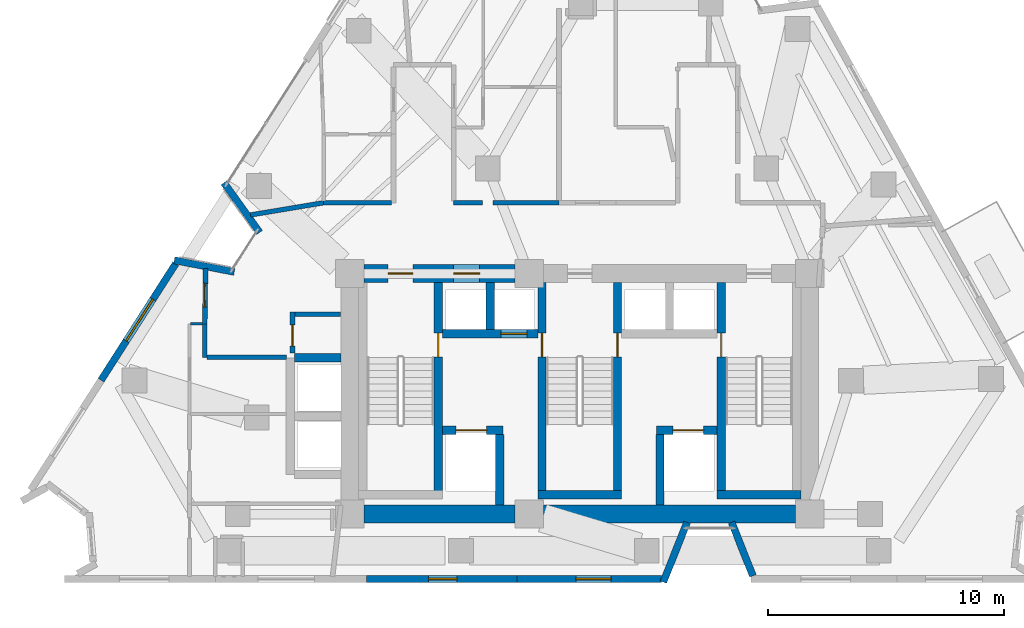
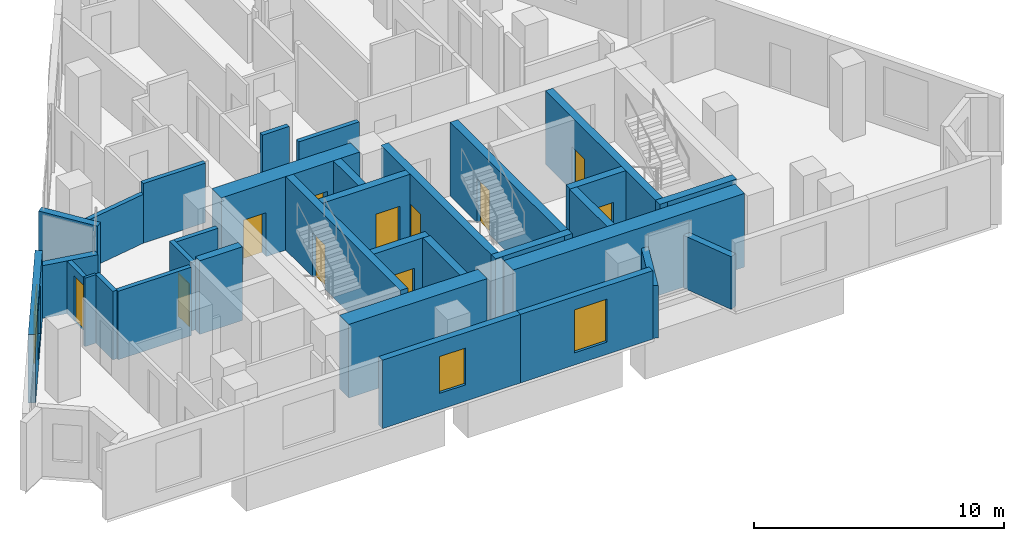
# One storey, part 6 of 11: 33 walls, 11 doors, 3 windows, 14 openings.
"""IFC4 building model written with IfcOpenShell, lengths in metres."""

import ifcopenshell
import ifcopenshell.guid

model = None  # the IFC model being written
_history = None  # IfcOwnerHistory: only IFC2X3 demands one
_inside = {}  # id of a spatial element -> (the spatial element, [elements in it])
_under = {}  # id of a project, library or spatial element -> (it, [spatial elements below it])
_declared = {}  # id of a project -> (the project, [libraries it declares])
_typed = {}  # id of a type object -> (the type object, [elements of that type])
_made_of = {}  # id of a material, layer set ... -> (it, [elements and type objects made of it])


def new_model(schema):
    """Start an empty IFC model of exactly this schema.

    Asked for "IFC4X3", IfcOpenShell would pick the latest addendum, in which some entities
    have other attributes; the version numbers below select the first issue.
    IFC2X3 requires an IfcOwnerHistory on every rooted entity: one is made here for all.
    """
    global model, _history
    if schema == "IFC4X3":
        model = ifcopenshell.file(schema_version=(4, 3, 0, 0))
    else:
        model = ifcopenshell.file(schema=schema)
    _inside.clear()
    _under.clear()
    _declared.clear()
    _typed.clear()
    _made_of.clear()
    _history = None
    if model.schema == "IFC2X3":
        org = make("IfcOrganization", Name="unknown")
        user = make(
            "IfcPersonAndOrganization",
            ThePerson=make("IfcPerson", FamilyName="unknown"),
            TheOrganization=org,
        )
        app = make(
            "IfcApplication",
            ApplicationDeveloper=org,
            Version="unknown",
            ApplicationFullName="unknown",
            ApplicationIdentifier="unknown",
        )
        _history = make(
            "IfcOwnerHistory",
            OwningUser=user,
            OwningApplication=app,
            ChangeAction="ADDED",
            CreationDate=0,
        )
    return model


def make(cls, **values):
    """One entity of the class cls with the attributes given. An attribute that is None is left unset."""
    return model.create_entity(
        cls, **{name: value for name, value in values.items() if value is not None}
    )


def rooted(cls, **values):
    """An entity with a GlobalId (a new one), such as an element, a storey or a relation."""
    return make(cls, GlobalId=ifcopenshell.guid.new(), OwnerHistory=_history, **values)


def si_unit(unit_type, name, prefix=None):
    """IfcSIUnit, for example si_unit("LENGTHUNIT", "METRE", prefix="MILLI")."""
    return make("IfcSIUnit", UnitType=unit_type, Prefix=prefix, Name=name)


def assignment(units):
    """IfcUnitAssignment: the units of a project."""
    return None if units is None else make("IfcUnitAssignment", Units=units)


def point(xyz):
    """IfcCartesianPoint."""
    return None if xyz is None else make("IfcCartesianPoint", Coordinates=xyz)


def direction(xyz):
    """IfcDirection."""
    return None if xyz is None else make("IfcDirection", DirectionRatios=xyz)


def frame(location, z_axis=None, x_axis=None):
    """IfcAxis2Placement3D, a coordinate frame: its origin and axes. An axis left out is left unset."""
    return make(
        "IfcAxis2Placement3D",
        Location=point(location),
        Axis=direction(z_axis),
        RefDirection=direction(x_axis),
    )


def frame_2d(location, x_axis=None):
    """IfcAxis2Placement2D, a coordinate frame in the plane: its origin and x axis."""
    return make(
        "IfcAxis2Placement2D", Location=point(location), RefDirection=direction(x_axis)
    )


def origin():
    """The frame at (0, 0, 0) with its axes left unset."""
    return frame((0.0, 0.0, 0.0))


def place(relative_to, where):
    """IfcLocalPlacement: puts the frame where relative to a parent placement (None: the world)."""
    return make(
        "IfcLocalPlacement", PlacementRelTo=relative_to, RelativePlacement=where
    )


def context(
    kind, dimensions, precision=None, world=None, true_north=None, identifier=None
):
    """IfcGeometricRepresentationContext, for example the 3D "Model" context."""
    return make(
        "IfcGeometricRepresentationContext",
        ContextIdentifier=identifier,
        ContextType=kind,
        CoordinateSpaceDimension=dimensions,
        Precision=precision,
        WorldCoordinateSystem=world,
        TrueNorth=true_north,
    )


def subcontext(parent, identifier, kind, view, scale=None):
    """IfcGeometricRepresentationSubContext, for example "Body" below "Model"."""
    return make(
        "IfcGeometricRepresentationSubContext",
        ContextIdentifier=identifier,
        ContextType=kind,
        ParentContext=parent,
        TargetScale=scale,
        TargetView=view,
    )


def project(units=None, contexts=None):
    """IfcProject with its units and contexts."""
    return rooted(
        "IfcProject",
        Name="project",
        RepresentationContexts=contexts,
        UnitsInContext=assignment(units),
    )


def spatial(cls, under=None, at=None, **own):
    """A site, building, storey or space (cls), placed at a placement, below another one or the project."""
    s = rooted(cls, ObjectPlacement=at, **own)
    if under is not None:
        _under.setdefault(under.id(), (under, []))[1].append(s)
    return s


def profile(cls, at=None, kind="AREA", **sizes):
    """A parametric profile (cls). Its sizes go by their IFC names, for example OverallWidth=200.0."""
    return make(cls, ProfileType=kind, Position=at, **sizes)


def rectangle(**sizes):
    """IfcRectangleProfileDef."""
    return profile("IfcRectangleProfileDef", **sizes)


def extrude(swept, where, along, depth):
    """IfcExtrudedAreaSolid: the profile swept, set in the frame where, extruded along a direction by depth."""
    return make(
        "IfcExtrudedAreaSolid",
        SweptArea=swept,
        Position=where,
        ExtrudedDirection=direction(along),
        Depth=depth,
    )


def shape(context_of_items, identifier, shape_type, items):
    """IfcShapeRepresentation: the items that make up one representation, for example the "Body"."""
    return make(
        "IfcShapeRepresentation",
        ContextOfItems=context_of_items,
        RepresentationIdentifier=identifier,
        RepresentationType=shape_type,
        Items=items,
    )


def material(Name=None, Category=None):
    """IfcMaterial."""
    return make("IfcMaterial", Name=Name, Category=Category)


def layer(
    of_material, thickness, ventilated=None, Name=None, Category=None, Priority=None
):
    """IfcMaterialLayer: one layer of a wall or slab, of a material (None: an air gap)."""
    return make(
        "IfcMaterialLayer",
        Material=of_material,
        LayerThickness=thickness,
        IsVentilated=ventilated,
        Name=Name,
        Category=Category,
        Priority=Priority,
    )


def layer_set(layers, Name=None):
    """IfcMaterialLayerSet."""
    return make("IfcMaterialLayerSet", MaterialLayers=layers, LayerSetName=Name)


def made_of(thing, what):
    """Note that an element or type object is made of a material, layer set ...; save() writes the relation."""
    if what is not None:
        _made_of.setdefault(what.id(), (what, []))[1].append(thing)
    return thing


def type_object(cls, material=None, **own):
    """A type object (cls), such as IfcWallType, which elements share."""
    return made_of(rooted(cls, **own), material)


def element(
    cls,
    number,
    at=None,
    inside=None,
    cuts=None,
    type_object=None,
    material=None,
    context=None,
    identifier="Body",
    shape_type=None,
    held_by="IfcProductDefinitionShape",
    body=None,
    shapes=None,
    **own,
):
    """One element of the class cls, such as IfcWall. Its Tag is "e" and its number.

    at: its placement. inside: the storey or other place that contains it. cuts: it is an
    opening in that element (IfcRelVoidsElement). A single representation is given by context,
    identifier, shape_type and body (its items); several are given by shapes. held_by: the class
    of the entity that holds the representations. save() writes the other relations.
    """
    e = rooted(cls, Tag="e%d" % number, ObjectPlacement=at, **own)
    if body is not None:
        shapes = [shape(context, identifier, shape_type, body)]
    if shapes is not None:
        e.Representation = make(held_by, Representations=shapes)
    if inside is not None:
        _inside.setdefault(inside.id(), (inside, []))[1].append(e)
    if cuts is not None:
        rooted(
            "IfcRelVoidsElement", RelatingBuildingElement=cuts, RelatedOpeningElement=e
        )
    if type_object is not None:
        _typed.setdefault(type_object.id(), (type_object, []))[1].append(e)
    return made_of(e, material)


def fill(opening, filler):
    """IfcRelFillsElement: the door or window that sits in an opening."""
    return rooted(
        "IfcRelFillsElement",
        RelatingOpeningElement=opening,
        RelatedBuildingElement=filler,
    )


def aggregate(whole, parts):
    """IfcRelAggregates: a whole, such as a stair, and the parts it consists of."""
    return rooted("IfcRelAggregates", RelatingObject=whole, RelatedObjects=parts)


def save(model, path):
    """Write the relations noted so far, then the file.

    IfcRelAggregates (storeys below a building ...), IfcRelContainedInSpatialStructure (elements
    in a storey), IfcRelDefinesByType, IfcRelAssociatesMaterial and IfcRelDeclares: one each for
    every whole, place, type object, material and project.
    """
    for whole, parts in _under.values():
        aggregate(whole, parts)
    for where, things in _inside.values():
        rooted(
            "IfcRelContainedInSpatialStructure",
            RelatedElements=things,
            RelatingStructure=where,
        )
    for kind, things in _typed.values():
        rooted("IfcRelDefinesByType", RelatedObjects=things, RelatingType=kind)
    for what, things in _made_of.values():
        rooted("IfcRelAssociatesMaterial", RelatedObjects=things, RelatingMaterial=what)
    for by, libraries in _declared.values():
        rooted("IfcRelDeclares", RelatingContext=by, RelatedDefinitions=libraries)
    model.write(path)


model = new_model("IFC4")

# Units and contexts
model_context = context("Model", 3, precision=1e-05, world=origin(), true_north=direction((0.0, 1.0)))
body_context = subcontext(model_context, "Body", "Model", "MODEL_VIEW")
ifc_project = project(units=[si_unit("LENGTHUNIT", "METRE"), si_unit("AREAUNIT", "SQUARE_METRE"), si_unit("VOLUMEUNIT", "CUBIC_METRE"), si_unit("PLANEANGLEUNIT", "RADIAN"), si_unit("MASSUNIT", "GRAM", prefix="KILO")], contexts=[model_context])

# Site, building, storey
site_placement = place(None, origin())
site = spatial("IfcSite", under=ifc_project, at=site_placement, CompositionType="ELEMENT")
building_placement = place(site_placement, origin())
building = spatial("IfcBuilding", under=site, at=building_placement, Name="Almagre Mirador Tower", CompositionType="ELEMENT")
storey_placement = place(building_placement, frame((0.0, 0.0, 153.60009765625)))
storey = spatial("IfcBuildingStorey", under=building, at=storey_placement, Name="L39", CompositionType="ELEMENT", Elevation=153.60009765625)

# Walls
ifc_material_1 = material(Name="Precast concrete C50/60", Category="concrete")
ifc_layer_1 = layer(ifc_material_1, 0.300048828125)
ifc_layer_set_1 = layer_set([ifc_layer_1], Name="Precast concrete C50/60")
wall_type_1 = type_object("IfcWallType", Name="WAL-EXT-300", PredefinedType="SOLIDWALL", material=ifc_layer_set_1)
wall_1_placement = place(storey_placement, frame((20.103515625, 15.3125, 0.0), z_axis=(0.0, 0.0, 1.0), x_axis=(0.98176398898, -0.190103839891, 0.0)))
element("IfcWall", 1, at=wall_1_placement, inside=storey, type_object=wall_type_1, Name="L39 expressed almagre precast frame wall 01", PredefinedType="SOLIDWALL", context=body_context, shape_type="SweptSolid", body=[
    extrude(rectangle(XDim=2.59423828125, YDim=0.300048828125, at=frame_2d((1.297119140625, 0.0))), origin(), (0.0, 0.0, 1.0), 2.574951171875),
])
wall_2_placement = place(storey_placement, frame((23.72265625, 16.4921875, 0.0), z_axis=(0.0, 0.0, 1.0), x_axis=(-0.583178108206, 0.812344319922, 0.0)))
element("IfcWall", 2, at=wall_2_placement, inside=storey, type_object=wall_type_1, Name="L39 expressed almagre precast frame wall 02", PredefinedType="SOLIDWALL", context=body_context, shape_type="SweptSolid", body=[
    extrude(rectangle(XDim=2.593017578125, YDim=0.300048828125, at=frame_2d((1.29638671875, 0.0))), origin(), (0.0, 0.0, 1.0), 2.574951171875),
])
wall_3_placement = place(storey_placement, frame((44.64013671875, 1.93017578125, 0.0), z_axis=(0.0, 0.0, 1.0), x_axis=(-0.369476217581, 0.929240186734, 0.0)))
element("IfcWall", 3, at=wall_3_placement, inside=storey, type_object=wall_type_1, Name="L39 expressed almagre precast frame wall 23", PredefinedType="SOLIDWALL", context=body_context, shape_type="SweptSolid", body=[
    extrude(rectangle(XDim=2.441650390625, YDim=0.300048828125, at=frame_2d((1.220703125, 0.0))), origin(), (0.0, 0.0, 1.0), 2.574951171875),
])
wall_4_placement = place(storey_placement, frame((41.845947265625, 4.198974609375, 0.0), z_axis=(0.0, 0.0, 1.0), x_axis=(-0.369487569888, -0.929235672851, 0.0)))
element("IfcWall", 4, at=wall_4_placement, inside=storey, type_object=wall_type_1, Name="L39 expressed almagre precast frame wall 24", PredefinedType="SOLIDWALL", context=body_context, shape_type="SweptSolid", body=[
    extrude(rectangle(XDim=2.7216796875, YDim=0.300048828125, at=frame_2d((1.36083984375, 0.0))), origin(), (0.0, 0.0, 1.0), 2.574951171875),
])

# Wall, opening, window
wall_5_placement = place(storey_placement, frame((40.757080078125, 1.800048828125, 0.0), z_axis=(0.0, 0.0, 1.0), x_axis=(-1.0, 0.0, 0.0)))
wall_5 = element("IfcWall", 5, at=wall_5_placement, inside=storey, type_object=wall_type_1, Name="L39 expressed almagre precast frame wall 25", PredefinedType="SOLIDWALL", context=body_context, shape_type="SweptSolid", body=[
    extrude(rectangle(XDim=6.1181640625, YDim=0.300048828125, at=frame_2d((3.05908203125, 0.0))), origin(), (0.0, 0.0, 1.0), 3.349853515625),
])
opening_1_placement = place(wall_5_placement, frame((2.125, 0.0, 0.60009765625)))
opening_1 = element("IfcOpeningElement", 6, at=opening_1_placement, cuts=wall_5, Name="Opening WN-03", PredefinedType="OPENING", context=body_context, shape_type="SweptSolid", body=[
    extrude(rectangle(XDim=1.5, YDim=2.10009765625, at=frame_2d((0.75, 1.050048828125))), frame((0.0, 0.159902, 0.0), z_axis=(0.0, -1.0, 0.0), x_axis=(1.0, 0.0, 0.0)), (0.0, 0.0, 1.0), 0.320049),
])
ifc_material_2 = material(Name="Dark solar-control laminated hurricane glass", Category="glass")
window_type_1 = type_object("IfcWindowType", Name="WIN-1500X2100", PartitioningType="DOUBLE_PANEL_VERTICAL", PredefinedType="WINDOW", material=ifc_material_2)
window_1_placement = place(opening_1_placement, origin())
window_1 = element("IfcWindow", 7, at=window_1_placement, inside=storey, type_object=window_type_1, Name="L39 recessed hurricane window L39-RST-B", OverallHeight=2.10009765625, OverallWidth=1.5, PartitioningType="SINGLE_PANEL", PredefinedType="WINDOW", context=body_context, shape_type="SweptSolid", body=[
    extrude(rectangle(XDim=1.5, YDim=2.10009765625, at=frame_2d((0.75, 1.050048828125))), frame((0.0, 0.030029296875, 0.0), z_axis=(0.0, -1.0, 0.0), x_axis=(1.0, 0.0, 0.0)), (0.0, 0.0, 1.0), 0.06005859375),
])
fill(opening_1, window_1)

wall_6_placement = place(storey_placement, frame((34.638916015625, 1.800048828125, 0.0), z_axis=(0.0, 0.0, 1.0), x_axis=(-1.0, 0.0, 0.0)))
wall_6 = element("IfcWall", 8, at=wall_6_placement, inside=storey, type_object=wall_type_1, Name="L39 expressed almagre precast frame wall 26", PredefinedType="SOLIDWALL", context=body_context, shape_type="SweptSolid", body=[
    extrude(rectangle(XDim=6.392822265625, YDim=0.300048828125, at=frame_2d((3.1962890625, 0.0))), origin(), (0.0, 0.0, 1.0), 3.349853515625),
])
opening_2_placement = place(wall_6_placement, frame((2.550048828125, 0.0, 0.800048828125)))
opening_2 = element("IfcOpeningElement", 9, at=opening_2_placement, cuts=wall_6, Name="Opening WN-04", PredefinedType="OPENING", context=body_context, shape_type="SweptSolid", body=[
    extrude(rectangle(XDim=1.199951171875, YDim=1.800048828125, at=frame_2d((0.60009765625, 0.89990234375))), frame((0.0, 0.159902, 0.0), z_axis=(0.0, -1.0, 0.0), x_axis=(1.0, 0.0, 0.0)), (0.0, 0.0, 1.0), 0.320049),
])
ifc_material_3 = material(Name="Dark solar-control laminated hurricane glass", Category="glass")
window_type_2 = type_object("IfcWindowType", Name="WIN-1200X1800", PartitioningType="SINGLE_PANEL", PredefinedType="WINDOW", material=ifc_material_3)
window_2_placement = place(opening_2_placement, origin())
window_2 = element("IfcWindow", 10, at=window_2_placement, inside=storey, type_object=window_type_2, Name="L39 recessed hurricane window L39-RST-B", OverallHeight=1.800048828125, OverallWidth=1.199951171875, PartitioningType="SINGLE_PANEL", PredefinedType="WINDOW", context=body_context, shape_type="SweptSolid", body=[
    extrude(rectangle(XDim=1.199951171875, YDim=1.800048828125, at=frame_2d((0.60009765625, 0.89990234375))), frame((0.0, 0.030029296875, 0.0), z_axis=(0.0, -1.0, 0.0), x_axis=(1.0, 0.0, 0.0)), (0.0, 0.0, 1.0), 0.06005859375),
])
fill(opening_2, window_2)

wall_7_placement = place(storey_placement, frame((16.99951171875, 10.22705078125, 0.0), z_axis=(0.0, 0.0, 1.0), x_axis=(0.539500668401, 0.841985171363, 0.0)))
wall_7 = element("IfcWall", 11, at=wall_7_placement, inside=storey, type_object=wall_type_1, Name="L39 expressed almagre precast frame wall 34", PredefinedType="SOLIDWALL", context=body_context, shape_type="SweptSolid", body=[
    extrude(rectangle(XDim=5.873291015625, YDim=0.300048828125, at=frame_2d((2.9365234375, 0.0))), origin(), (0.0, 0.0, 1.0), 3.349853515625),
])
opening_3_placement = place(wall_7_placement, frame((1.97509765625, 0.0, 0.550048828125)))
opening_3 = element("IfcOpeningElement", 12, at=opening_3_placement, cuts=wall_7, Name="Opening WN-05", PredefinedType="OPENING", context=body_context, shape_type="SweptSolid", body=[
    extrude(rectangle(XDim=2.10009765625, YDim=2.39990234375, at=frame_2d((1.050048828125, 1.199951171875))), frame((0.0, 0.159902, 0.0), z_axis=(0.0, -1.0, 0.0), x_axis=(1.0, 0.0, 0.0)), (0.0, 0.0, 1.0), 0.320049),
])
ifc_material_4 = material(Name="Dark solar-control laminated hurricane glass", Category="glass")
window_type_3 = type_object("IfcWindowType", Name="WIN-2100X2400", PartitioningType="DOUBLE_PANEL_VERTICAL", PredefinedType="WINDOW", material=ifc_material_4)
window_3_placement = place(opening_3_placement, origin())
window_3 = element("IfcWindow", 13, at=window_3_placement, inside=storey, type_object=window_type_3, Name="L39 recessed hurricane window L39-UA-LV", OverallHeight=2.39990234375, OverallWidth=2.10009765625, PartitioningType="SINGLE_PANEL", PredefinedType="WINDOW", context=body_context, shape_type="SweptSolid", body=[
    extrude(rectangle(XDim=2.10009765625, YDim=2.39990234375, at=frame_2d((1.050048828125, 1.199951171875))), frame((0.0, 0.030029296875, 0.0), z_axis=(0.0, -1.0, 0.0), x_axis=(1.0, 0.0, 0.0)), (0.0, 0.0, 1.0), 0.06005859375),
])
fill(opening_3, window_3)

# Wall
ifc_material_5 = material(Name="Gypsum acoustic stud partition", Category="other")
ifc_layer_2 = layer(ifc_material_5, 0.125)
ifc_layer_set_2 = layer_set([ifc_layer_2], Name="Gypsum acoustic stud partition")
wall_type_2 = type_object("IfcWallType", Name="WAL-PRT-125-UTL", PredefinedType="PARTITIONING", material=ifc_layer_set_2)
wall_8_placement = place(storey_placement, frame((20.797607421875, 12.6201171875, 0.0), z_axis=(0.0, 0.0, 1.0), x_axis=(1.0, 0.0, 0.0)))
element("IfcWall", 14, at=wall_8_placement, inside=storey, type_object=wall_type_2, Name="L39 interior partition 029", PredefinedType="PARTITIONING", context=body_context, shape_type="SweptSolid", body=[
    extrude(rectangle(XDim=0.517333984375, YDim=0.125, at=frame_2d((0.2587890625, 0.0))), origin(), (0.0, 0.0, 1.0), 3.349853515625),
])

# Wall, opening, door
ifc_material_6 = material(Name="Gypsum acoustic stud partition", Category="other")
ifc_layer_3 = layer(ifc_material_6, 0.199951171875)
ifc_layer_set_3 = layer_set([ifc_layer_3], Name="Gypsum acoustic stud partition")
wall_type_3 = type_object("IfcWallType", Name="WAL-PRT-200-EI60", PredefinedType="PARTITIONING", material=ifc_layer_set_3)
wall_9_placement = place(storey_placement, frame((25.1201171875, 11.3701171875, 0.0), z_axis=(0.0, 0.0, 1.0), x_axis=(0.0, 1.0, 0.0)))
wall_9 = element("IfcWall", 15, at=wall_9_placement, inside=storey, type_object=wall_type_3, Name="L39 core ancillary west wall", PredefinedType="PARTITIONING", context=body_context, shape_type="SweptSolid", body=[
    extrude(rectangle(XDim=1.739990234375, YDim=0.199951171875, at=frame_2d((0.8701171875, 0.0))), origin(), (0.0, 0.0, 1.0), 3.349853515625),
])
opening_4_placement = place(wall_9_placement, frame((0.304931640625, 0.0, 0.0)))
opening_4 = element("IfcOpeningElement", 16, at=opening_4_placement, cuts=wall_9, Name="Opening ID-03", PredefinedType="OPENING", context=body_context, shape_type="SweptSolid", body=[
    extrude(rectangle(XDim=0.89990234375, YDim=2.10009765625, at=frame_2d((0.449951171875, 1.050048828125))), frame((0.0, 0.110098, 0.0), z_axis=(0.0, -1.0, 0.0), x_axis=(1.0, 0.0, 0.0)), (0.0, 0.0, 1.0), 0.219951),
])
ifc_material_7 = material(Name="Fire-rated hollow steel", Category="steel")
door_type_1 = type_object("IfcDoorType", Name="DOR-FD60-900X2100", OperationType="NOTDEFINED", PredefinedType="DOOR", material=ifc_material_7)
door_1_placement = place(opening_4_placement, origin())
door_1 = element("IfcDoor", 17, at=door_1_placement, inside=storey, type_object=door_type_1, Name="DR-1260 L39 core ancillary corridor door", OperationType="SINGLE_SWING_LEFT", OverallHeight=2.10009765625, OverallWidth=0.89990234375, PredefinedType="DOOR", context=body_context, shape_type="SweptSolid", body=[
    extrude(rectangle(XDim=0.89990234375, YDim=2.10009765625, at=frame_2d((0.449951171875, 1.050048828125))), frame((0.0, 0.02490234375, 0.0), z_axis=(0.0, -1.0, 0.0), x_axis=(1.0, 0.0, 0.0)), (0.0, 0.0, 1.0), 0.050048828125),
])
fill(opening_4, door_1)

# Wall
wall_10_placement = place(storey_placement, frame((25.22509765625, 13.02001953125, 0.0), z_axis=(0.0, 0.0, 1.0), x_axis=(1.0, 0.0, 0.0)))
element("IfcWall", 18, at=wall_10_placement, inside=storey, type_object=wall_type_3, Name="L39 core ancillary north wall", PredefinedType="PARTITIONING", context=body_context, shape_type="SweptSolid", body=[
    extrude(rectangle(XDim=1.934814453125, YDim=0.199951171875, at=frame_2d((0.96728515625, 0.0))), origin(), (0.0, 0.0, 1.0), 3.349853515625),
])

# Wall, opening, door
wall_11_placement = place(storey_placement, frame((21.43310546875, 14.9560546875, 0.0), z_axis=(0.0, 0.0, 1.0), x_axis=(-0.014212611143, -0.999898995741, 0.0)))
wall_11 = element("IfcWall", 19, at=wall_11_placement, inside=storey, type_object=wall_type_3, Name="L39 interior partition 001", PredefinedType="PARTITIONING", context=body_context, shape_type="SweptSolid", body=[
    extrude(rectangle(XDim=2.336181640625, YDim=0.199951171875, at=frame_2d((1.16796875, 0.0))), origin(), (0.0, 0.0, 1.0), 2.56982421875),
])
opening_5_placement = place(wall_11_placement, frame((0.61865234375, 0.0, 0.0)))
opening_5 = element("IfcOpeningElement", 20, at=opening_5_placement, cuts=wall_11, Name="Opening ID-01", PredefinedType="OPENING", context=body_context, shape_type="SweptSolid", body=[
    extrude(rectangle(XDim=1.0, YDim=2.199951171875, at=frame_2d((0.5, 1.10009765625))), frame((0.0, 0.110098, 0.0), z_axis=(0.0, -1.0, 0.0), x_axis=(1.0, 0.0, 0.0)), (0.0, 0.0, 1.0), 0.219951),
])
ifc_material_8 = material(Name="Fire-rated walnut timber", Category="wood")
door_type_2 = type_object("IfcDoorType", Name="DOR-FD60-1000X2200", OperationType="NOTDEFINED", PredefinedType="DOOR", material=ifc_material_8)
door_2_placement = place(opening_5_placement, origin())
door_2 = element("IfcDoor", 21, at=door_2_placement, inside=storey, type_object=door_type_2, Name="DR-1267 L39 interior door L39-RCOR to L39-UA-LV", OperationType="SINGLE_SWING_RIGHT", OverallHeight=2.199951171875, OverallWidth=1.0, PredefinedType="DOOR", context=body_context, shape_type="SweptSolid", body=[
    extrude(rectangle(XDim=1.0, YDim=2.199951171875, at=frame_2d((0.5, 1.10009765625))), frame((0.0, 0.02490234375, 0.0), z_axis=(0.0, -1.0, 0.0), x_axis=(1.0, 0.0, 0.0)), (0.0, 0.0, 1.0), 0.050048828125),
])
fill(opening_5, door_2)

# Walls
wall_12_placement = place(storey_placement, frame((21.39990234375, 12.6201171875, 0.0), z_axis=(0.0, 0.0, 1.0), x_axis=(0.0, -1.0, 0.0)))
element("IfcWall", 22, at=wall_12_placement, inside=storey, type_object=wall_type_3, Name="L39 interior partition 002", PredefinedType="PARTITIONING", context=body_context, shape_type="SweptSolid", body=[
    extrude(rectangle(XDim=1.420166015625, YDim=0.199951171875, at=frame_2d((0.7099609375, 0.0))), origin(), (0.0, 0.0, 1.0), 3.349853515625),
])
wall_13_placement = place(storey_placement, frame((21.485107421875, 11.199951171875, 0.0), z_axis=(0.0, 0.0, 1.0), x_axis=(1.0, 0.0, 0.0)))
element("IfcWall", 23, at=wall_13_placement, inside=storey, type_object=wall_type_3, Name="L39 interior partition 003", PredefinedType="PARTITIONING", context=body_context, shape_type="SweptSolid", body=[
    extrude(rectangle(XDim=3.384033203125, YDim=0.199951171875, at=frame_2d((1.69189453125, 0.0))), origin(), (0.0, 0.0, 1.0), 3.349853515625),
])
wall_14_placement = place(storey_placement, frame((26.43994140625, 17.75, 0.0), z_axis=(0.0, 0.0, 1.0), x_axis=(-0.986465106599, -0.163971319024, 0.0)))
element("IfcWall", 24, at=wall_14_placement, inside=storey, type_object=wall_type_3, Name="L39 interior partition 007", PredefinedType="PARTITIONING", context=body_context, shape_type="SweptSolid", body=[
    extrude(rectangle(XDim=3.1474609375, YDim=0.199951171875, at=frame_2d((1.57373046875, 0.0))), origin(), (0.0, 0.0, 1.0), 2.392822265625),
])
wall_15_placement = place(storey_placement, frame((29.31494140625, 17.75, 0.0), z_axis=(0.0, 0.0, 1.0), x_axis=(-1.0, 0.0, 0.0)))
element("IfcWall", 25, at=wall_15_placement, inside=storey, type_object=wall_type_3, Name="L39 interior partition 009", PredefinedType="PARTITIONING", context=body_context, shape_type="SweptSolid", body=[
    extrude(rectangle(XDim=2.875, YDim=0.199951171875, at=frame_2d((1.4375, 0.0))), origin(), (0.0, 0.0, 1.0), 2.910888671875),
])
wall_16_placement = place(storey_placement, frame((33.179931640625, 17.75, 0.0), z_axis=(0.0, 0.0, 1.0), x_axis=(-1.0, 0.0, 0.0)))
element("IfcWall", 26, at=wall_16_placement, inside=storey, type_object=wall_type_3, Name="L39 interior partition 022", PredefinedType="PARTITIONING", context=body_context, shape_type="SweptSolid", body=[
    extrude(rectangle(XDim=1.22998046875, YDim=0.199951171875, at=frame_2d((0.614990234375, 0.0))), origin(), (0.0, 0.0, 1.0), 3.349853515625),
])
wall_17_placement = place(storey_placement, frame((36.419921875, 17.75, 0.0), z_axis=(0.0, 0.0, 1.0), x_axis=(-1.0, 0.0, 0.0)))
element("IfcWall", 27, at=wall_17_placement, inside=storey, type_object=wall_type_3, Name="L39 interior partition 024", PredefinedType="PARTITIONING", context=body_context, shape_type="SweptSolid", body=[
    extrude(rectangle(XDim=2.7998046875, YDim=0.199951171875, at=frame_2d((1.39990234375, 0.0))), origin(), (0.0, 0.0, 1.0), 2.435791015625),
])

# Wall, opening, door
ifc_material_9 = material(Name="Concrete C60/75", Category="concrete")
ifc_layer_4 = layer(ifc_material_9, 0.35009765625)
ifc_layer_set_4 = layer_set([ifc_layer_4], Name="Concrete C60/75")
wall_type_4 = type_object("IfcWallType", Name="WAL-SHF-350", PredefinedType="SOLIDWALL", material=ifc_layer_set_4)
wall_18_placement = place(storey_placement, frame((31.300048828125, 5.199951171875, 0.0), z_axis=(0.0, 0.0, 1.0), x_axis=(0.0, 1.0, 0.0)))
wall_18 = element("IfcWall", 28, at=wall_18_placement, inside=storey, type_object=wall_type_4, Name="L39 shaft wall ST1-E", PredefinedType="SOLIDWALL", context=body_context, shape_type="SweptSolid", body=[
    extrude(rectangle(XDim=9.175048828125, YDim=0.35009765625, at=frame_2d((4.58740234375, 0.0))), origin(), (0.0, 0.0, 1.0), 3.599853515625),
])
opening_6_placement = place(wall_18_placement, frame((6.02001953125, 0.0, 0.0)))
opening_6 = element("IfcOpeningElement", 29, at=opening_6_placement, cuts=wall_18, Name="Opening FD-01", PredefinedType="OPENING", context=body_context, shape_type="SweptSolid", body=[
    extrude(rectangle(XDim=1.0, YDim=2.14990234375, at=frame_2d((0.5, 1.074951171875))), frame((0.0, 0.185049, 0.0), z_axis=(0.0, -1.0, 0.0), x_axis=(1.0, 0.0, 0.0)), (0.0, 0.0, 1.0), 0.370098),
])
ifc_material_10 = material(Name="Fire-rated hollow steel", Category="steel")
door_type_3 = type_object("IfcDoorType", Name="DOR-FFL-1000X2150", OperationType="NOTDEFINED", PredefinedType="DOOR", material=ifc_material_10)
door_3_placement = place(opening_6_placement, origin())
door_3 = element("IfcDoor", 30, at=door_3_placement, inside=storey, type_object=door_type_3, Name="DR-1261 L39 FFL1-ST1 smokeproof door", OperationType="SINGLE_SWING_LEFT", OverallHeight=2.14990234375, OverallWidth=1.0, PredefinedType="DOOR", context=body_context, shape_type="SweptSolid", body=[
    extrude(rectangle(XDim=1.0, YDim=2.14990234375, at=frame_2d((0.5, 1.074951171875))), frame((0.0, 0.02490234375, 0.0), z_axis=(0.0, -1.0, 0.0), x_axis=(1.0, 0.0, 0.0)), (0.0, 0.0, 1.0), 0.050048828125),
])
fill(opening_6, door_3)

wall_19_placement = place(storey_placement, frame((35.699951171875, 5.199951171875, 0.0), z_axis=(0.0, 0.0, 1.0), x_axis=(0.0, 1.0, 0.0)))
wall_19 = element("IfcWall", 31, at=wall_19_placement, inside=storey, type_object=wall_type_4, Name="L39 shaft wall ST2-W", PredefinedType="SOLIDWALL", context=body_context, shape_type="SweptSolid", body=[
    extrude(rectangle(XDim=9.175048828125, YDim=0.35009765625, at=frame_2d((4.58740234375, 0.0))), origin(), (0.0, 0.0, 1.0), 3.599853515625),
])
opening_7_placement = place(wall_19_placement, frame((6.02001953125, 0.0, 0.0)))
opening_7 = element("IfcOpeningElement", 32, at=opening_7_placement, cuts=wall_19, Name="Opening FD-01", PredefinedType="OPENING", context=body_context, shape_type="SweptSolid", body=[
    extrude(rectangle(XDim=1.0, YDim=2.14990234375, at=frame_2d((0.5, 1.074951171875))), frame((0.0, 0.185049, 0.0), z_axis=(0.0, -1.0, 0.0), x_axis=(1.0, 0.0, 0.0)), (0.0, 0.0, 1.0), 0.370098),
])
door_4_placement = place(opening_7_placement, origin())
door_4 = element("IfcDoor", 33, at=door_4_placement, inside=storey, type_object=door_type_3, Name="DR-1262 L39 FFL1-ST2 smokeproof door", OperationType="SINGLE_SWING_RIGHT", OverallHeight=2.14990234375, OverallWidth=1.0, PredefinedType="DOOR", context=body_context, shape_type="SweptSolid", body=[
    extrude(rectangle(XDim=1.0, YDim=2.14990234375, at=frame_2d((0.5, 1.074951171875))), frame((0.0, 0.02490234375, 0.0), z_axis=(0.0, -1.0, 0.0), x_axis=(1.0, 0.0, 0.0)), (0.0, 0.0, 1.0), 0.050048828125),
])
fill(opening_7, door_4)

wall_20_placement = place(storey_placement, frame((38.89990234375, 5.199951171875, 0.0), z_axis=(0.0, 0.0, 1.0), x_axis=(0.0, 1.0, 0.0)))
wall_20 = element("IfcWall", 34, at=wall_20_placement, inside=storey, type_object=wall_type_4, Name="L39 shaft wall ST2-E", PredefinedType="SOLIDWALL", context=body_context, shape_type="SweptSolid", body=[
    extrude(rectangle(XDim=9.175048828125, YDim=0.35009765625, at=frame_2d((4.58740234375, 0.0))), origin(), (0.0, 0.0, 1.0), 3.599853515625),
])
opening_8_placement = place(wall_20_placement, frame((6.02001953125, 0.0, 0.0)))
opening_8 = element("IfcOpeningElement", 35, at=opening_8_placement, cuts=wall_20, Name="Opening FD-01", PredefinedType="OPENING", context=body_context, shape_type="SweptSolid", body=[
    extrude(rectangle(XDim=1.0, YDim=2.14990234375, at=frame_2d((0.5, 1.074951171875))), frame((0.0, 0.185049, 0.0), z_axis=(0.0, -1.0, 0.0), x_axis=(1.0, 0.0, 0.0)), (0.0, 0.0, 1.0), 0.370098),
])
door_5_placement = place(opening_8_placement, origin())
door_5 = element("IfcDoor", 36, at=door_5_placement, inside=storey, type_object=door_type_3, Name="DR-1263 L39 FFL2-ST2 smokeproof door", OperationType="SINGLE_SWING_LEFT", OverallHeight=2.14990234375, OverallWidth=1.0, PredefinedType="DOOR", context=body_context, shape_type="SweptSolid", body=[
    extrude(rectangle(XDim=1.0, YDim=2.14990234375, at=frame_2d((0.5, 1.074951171875))), frame((0.0, 0.02490234375, 0.0), z_axis=(0.0, -1.0, 0.0), x_axis=(1.0, 0.0, 0.0)), (0.0, 0.0, 1.0), 0.050048828125),
])
fill(opening_8, door_5)

# Wall
wall_21_placement = place(storey_placement, frame((35.52490234375, 5.375, 0.0), z_axis=(0.0, 0.0, 1.0), x_axis=(1.0, 0.0, 0.0)))
element("IfcWall", 37, at=wall_21_placement, inside=storey, type_object=wall_type_4, Name="L39 shaft wall ST2-S", PredefinedType="SOLIDWALL", context=body_context, shape_type="SweptSolid", body=[
    extrude(rectangle(XDim=3.550048828125, YDim=0.35009765625, at=frame_2d((1.77490234375, 0.0))), origin(), (0.0, 0.0, 1.0), 3.599853515625),
])

# Wall, opening, door
wall_22_placement = place(storey_placement, frame((43.300048828125, 5.199951171875, 0.0), z_axis=(0.0, 0.0, 1.0), x_axis=(0.0, 1.0, 0.0)))
wall_22 = element("IfcWall", 38, at=wall_22_placement, inside=storey, type_object=wall_type_4, Name="L39 shaft wall ST3-W", PredefinedType="SOLIDWALL", context=body_context, shape_type="SweptSolid", body=[
    extrude(rectangle(XDim=9.175048828125, YDim=0.35009765625, at=frame_2d((4.58740234375, 0.0))), origin(), (0.0, 0.0, 1.0), 3.599853515625),
])
opening_9_placement = place(wall_22_placement, frame((6.02001953125, 0.0, 0.0)))
opening_9 = element("IfcOpeningElement", 39, at=opening_9_placement, cuts=wall_22, Name="Opening FD-01", PredefinedType="OPENING", context=body_context, shape_type="SweptSolid", body=[
    extrude(rectangle(XDim=1.0, YDim=2.14990234375, at=frame_2d((0.5, 1.074951171875))), frame((0.0, 0.185049, 0.0), z_axis=(0.0, -1.0, 0.0), x_axis=(1.0, 0.0, 0.0)), (0.0, 0.0, 1.0), 0.370098),
])
door_6_placement = place(opening_9_placement, origin())
door_6 = element("IfcDoor", 40, at=door_6_placement, inside=storey, type_object=door_type_3, Name="DR-1264 L39 FFL2-ST3 smokeproof door", OperationType="SINGLE_SWING_RIGHT", OverallHeight=2.14990234375, OverallWidth=1.0, PredefinedType="DOOR", context=body_context, shape_type="SweptSolid", body=[
    extrude(rectangle(XDim=1.0, YDim=2.14990234375, at=frame_2d((0.5, 1.074951171875))), frame((0.0, 0.02490234375, 0.0), z_axis=(0.0, -1.0, 0.0), x_axis=(1.0, 0.0, 0.0)), (0.0, 0.0, 1.0), 0.050048828125),
])
fill(opening_9, door_6)

# Wall
wall_23_placement = place(storey_placement, frame((43.125, 5.375, 0.0), z_axis=(0.0, 0.0, 1.0), x_axis=(1.0, 0.0, 0.0)))
element("IfcWall", 41, at=wall_23_placement, inside=storey, type_object=wall_type_4, Name="L39 shaft wall ST3-S", PredefinedType="SOLIDWALL", context=body_context, shape_type="SweptSolid", body=[
    extrude(rectangle(XDim=3.550048828125, YDim=0.35009765625, at=frame_2d((1.77490234375, 0.0))), origin(), (0.0, 0.0, 1.0), 3.599853515625),
])

# Wall, opening, door
wall_24_placement = place(storey_placement, frame((31.47509765625, 8.10009765625, 0.0), z_axis=(0.0, 0.0, 1.0), x_axis=(1.0, 0.0, 0.0)))
wall_24 = element("IfcWall", 42, at=wall_24_placement, inside=storey, type_object=wall_type_4, Name="L39 shaft wall FSAE1-N", PredefinedType="SOLIDWALL", context=body_context, shape_type="SweptSolid", body=[
    extrude(rectangle(XDim=2.574951171875, YDim=0.35009765625, at=frame_2d((1.28759765625, 0.0))), origin(), (0.0, 0.0, 1.0), 3.599853515625),
])
opening_10_placement = place(wall_24_placement, frame((0.574951171875, 0.0, 0.0)))
opening_10 = element("IfcOpeningElement", 43, at=opening_10_placement, cuts=wall_24, Name="Opening LD-03", PredefinedType="OPENING", context=body_context, shape_type="SweptSolid", body=[
    extrude(rectangle(XDim=1.300048828125, YDim=2.25, at=frame_2d((0.64990234375, 1.125))), frame((0.0, 0.185049, 0.0), z_axis=(0.0, -1.0, 0.0), x_axis=(1.0, 0.0, 0.0)), (0.0, 0.0, 1.0), 0.370098),
])
ifc_material_11 = material(Name="Hollow stainless steel", Category="steel")
door_type_4 = type_object("IfcDoorType", Name="DOR-LD-1300X2250", OperationType="DOUBLE_DOOR_SLIDING", PredefinedType="DOOR", material=ifc_material_11)
door_7_placement = place(opening_10_placement, origin())
door_7 = element("IfcDoor", 44, at=door_7_placement, inside=storey, type_object=door_type_4, Name="DR-1280 L39 FSAE-1 lift landing door", OperationType="DOUBLE_DOOR_SLIDING", OverallHeight=2.25, OverallWidth=1.300048828125, PredefinedType="DOOR", context=body_context, shape_type="SweptSolid", body=[
    extrude(rectangle(XDim=1.300048828125, YDim=2.25, at=frame_2d((0.64990234375, 1.125))), frame((0.0, 0.02490234375, 0.0), z_axis=(0.0, -1.0, 0.0), x_axis=(1.0, 0.0, 0.0)), (0.0, 0.0, 1.0), 0.050048828125),
])
fill(opening_10, door_7)

wall_25_placement = place(storey_placement, frame((40.550048828125, 8.10009765625, 0.0), z_axis=(0.0, 0.0, 1.0), x_axis=(1.0, 0.0, 0.0)))
wall_25 = element("IfcWall", 45, at=wall_25_placement, inside=storey, type_object=wall_type_4, Name="L39 shaft wall FSAE2-N", PredefinedType="SOLIDWALL", context=body_context, shape_type="SweptSolid", body=[
    extrude(rectangle(XDim=2.574951171875, YDim=0.35009765625, at=frame_2d((1.28759765625, 0.0))), origin(), (0.0, 0.0, 1.0), 3.599853515625),
])
opening_11_placement = place(wall_25_placement, frame((0.699951171875, 0.0, 0.0)))
opening_11 = element("IfcOpeningElement", 46, at=opening_11_placement, cuts=wall_25, Name="Opening LD-03", PredefinedType="OPENING", context=body_context, shape_type="SweptSolid", body=[
    extrude(rectangle(XDim=1.300048828125, YDim=2.25, at=frame_2d((0.64990234375, 1.125))), frame((0.0, 0.185049, 0.0), z_axis=(0.0, -1.0, 0.0), x_axis=(1.0, 0.0, 0.0)), (0.0, 0.0, 1.0), 0.370098),
])
door_8_placement = place(opening_11_placement, origin())
door_8 = element("IfcDoor", 47, at=door_8_placement, inside=storey, type_object=door_type_4, Name="DR-1281 L39 FSAE-2 lift landing door", OperationType="DOUBLE_DOOR_SLIDING", OverallHeight=2.25, OverallWidth=1.300048828125, PredefinedType="DOOR", context=body_context, shape_type="SweptSolid", body=[
    extrude(rectangle(XDim=1.300048828125, YDim=2.25, at=frame_2d((0.64990234375, 1.125))), frame((0.0, 0.02490234375, 0.0), z_axis=(0.0, -1.0, 0.0), x_axis=(1.0, 0.0, 0.0)), (0.0, 0.0, 1.0), 0.050048828125),
])
fill(opening_11, door_8)

# Walls
for number, where, z_axis, x_axis, name in (
    (48, (33.89990234375, 4.925048828125, 0.0), (0.0, 0.0, 1.0), (0.0, 1.0, 0.0), "L39 shaft wall FSAE1-E"),
    (49, (40.699951171875, 4.925048828125, 0.0), (0.0, 0.0, 1.0), (0.0, 1.0, 0.0), "L39 shaft wall FSAE2-W"),
):
    element("IfcWall", number, at=place(storey_placement, frame(where, z_axis=z_axis, x_axis=x_axis)), inside=storey, type_object=wall_type_4, Name=name, PredefinedType="SOLIDWALL", context=body_context, shape_type="SweptSolid", body=[
        extrude(rectangle(XDim=3.0, YDim=0.35009765625, at=frame_2d((1.5, 0.0))), origin(), (0.0, 0.0, 1.0), 3.599853515625),
    ])

# Wall, opening, door
wall_26_placement = place(storey_placement, frame((31.47509765625, 12.199951171875, 0.0), z_axis=(0.0, 0.0, 1.0), x_axis=(1.0, 0.0, 0.0)))
wall_26 = element("IfcWall", 50, at=wall_26_placement, inside=storey, type_object=wall_type_4, Name="L39 shaft wall PLM-S", PredefinedType="SOLIDWALL", context=body_context, shape_type="SweptSolid", body=[
    extrude(rectangle(XDim=4.0498046875, YDim=0.35009765625, at=frame_2d((2.02490234375, 0.0))), origin(), (0.0, 0.0, 1.0), 3.599853515625),
])
opening_12_placement = place(wall_26_placement, frame((2.47509765625, 0.0, 0.0)))
opening_12 = element("IfcOpeningElement", 51, at=opening_12_placement, cuts=wall_26, Name="Opening LD-01", PredefinedType="OPENING", context=body_context, shape_type="SweptSolid", body=[
    extrude(rectangle(XDim=1.10009765625, YDim=2.199951171875, at=frame_2d((0.550048828125, 1.10009765625))), frame((0.0, 0.185049, 0.0), z_axis=(0.0, -1.0, 0.0), x_axis=(1.0, 0.0, 0.0)), (0.0, 0.0, 1.0), 0.370098),
])
ifc_material_12 = material(Name="Hollow stainless steel", Category="steel")
door_type_5 = type_object("IfcDoorType", Name="DOR-LD-1100X2200", OperationType="DOUBLE_DOOR_SLIDING", PredefinedType="DOOR", material=ifc_material_12)
door_9_placement = place(opening_12_placement, origin())
door_9 = element("IfcDoor", 52, at=door_9_placement, inside=storey, type_object=door_type_5, Name="DR-1283 L39 PL-M2 lift landing door", OperationType="DOUBLE_DOOR_SLIDING", OverallHeight=2.199951171875, OverallWidth=1.10009765625, PredefinedType="DOOR", context=body_context, shape_type="SweptSolid", body=[
    extrude(rectangle(XDim=1.10009765625, YDim=2.199951171875, at=frame_2d((0.550048828125, 1.10009765625))), frame((0.0, 0.02490234375, 0.0), z_axis=(0.0, -1.0, 0.0), x_axis=(1.0, 0.0, 0.0)), (0.0, 0.0, 1.0), 0.050048828125),
])
fill(opening_12, door_9)

# Walls
wall_27_placement = place(storey_placement, frame((33.5, 12.375, 0.0), z_axis=(0.0, 0.0, 1.0), x_axis=(0.0, 1.0, 0.0)))
element("IfcWall", 53, at=wall_27_placement, inside=storey, type_object=wall_type_4, Name="L39 shaft wall PLM-M", PredefinedType="SOLIDWALL", context=body_context, shape_type="SweptSolid", body=[
    extrude(rectangle(XDim=2.0, YDim=0.35009765625, at=frame_2d((1.0, 0.0))), origin(), (0.0, 0.0, 1.0), 3.599853515625),
])
wall_28_placement = place(storey_placement, frame((25.199951171875, 11.175048828125, 0.0), z_axis=(0.0, 0.0, 1.0), x_axis=(1.0, 0.0, 0.0)))
element("IfcWall", 54, at=wall_28_placement, inside=storey, type_object=wall_type_4, Name="L39 shaft wall OL-N", PredefinedType="SOLIDWALL", context=body_context, shape_type="SweptSolid", body=[
    extrude(rectangle(XDim=1.97509765625, YDim=0.35009765625, at=frame_2d((0.987548828125, 0.0))), origin(), (0.0, 0.0, 1.0), 3.599853515625),
])
ifc_material_13 = material(Name="Concrete C60/75", Category="concrete")
ifc_layer_5 = layer(ifc_material_13, 0.75)
ifc_layer_set_5 = layer_set([ifc_layer_5], Name="Concrete C60/75")
wall_type_5 = type_object("IfcWallType", Name="WAL-SHR-750", PredefinedType="SHEAR", material=ifc_layer_set_5)
wall_29_placement = place(storey_placement, frame((28.14990234375, 4.550048828125, 0.0), z_axis=(0.0, 0.0, 1.0), x_axis=(1.0, 0.0, 0.0)))
element("IfcWall", 55, at=wall_29_placement, inside=storey, type_object=wall_type_5, Name="L39 core shear wall S1", PredefinedType="SHEAR", context=body_context, shape_type="SweptSolid", body=[
    extrude(rectangle(XDim=6.400146484375, YDim=0.75, at=frame_2d((3.2001953125, 0.0))), origin(), (0.0, 0.0, 1.0), 3.599853515625),
])
wall_30_placement = place(storey_placement, frame((35.75, 4.550048828125, 0.0), z_axis=(0.0, 0.0, 1.0), x_axis=(1.0, 0.0, 0.0)))
element("IfcWall", 56, at=wall_30_placement, inside=storey, type_object=wall_type_5, Name="L39 core shear wall S2", PredefinedType="SHEAR", context=body_context, shape_type="SweptSolid", body=[
    extrude(rectangle(XDim=10.699951171875, YDim=0.75, at=frame_2d((5.35009765625, 0.0))), origin(), (0.0, 0.0, 1.0), 3.599853515625),
])

# Wall, openings, doors
wall_31_placement = place(storey_placement, frame((28.14990234375, 14.75, 0.0), z_axis=(0.0, 0.0, 1.0), x_axis=(1.0, 0.0, 0.0)))
wall_31 = element("IfcWall", 57, at=wall_31_placement, inside=storey, type_object=wall_type_5, Name="L39 core shear wall N1", PredefinedType="SHEAR", context=body_context, shape_type="SweptSolid", body=[
    extrude(rectangle(XDim=6.400146484375, YDim=0.75, at=frame_2d((3.2001953125, 0.0))), origin(), (0.0, 0.0, 1.0), 3.599853515625),
])
opening_13_placement = place(wall_31_placement, frame((1.02490234375, 0.0, 0.0)))
opening_13 = element("IfcOpeningElement", 58, at=opening_13_placement, cuts=wall_31, Name="Opening SD-01", PredefinedType="OPENING", context=body_context, shape_type="SweptSolid", body=[
    extrude(rectangle(XDim=1.050048828125, YDim=2.14990234375, at=frame_2d((0.52490234375, 1.074951171875))), frame((0.0, 0.385, 0.0), z_axis=(0.0, -1.0, 0.0), x_axis=(1.0, 0.0, 0.0)), (0.0, 0.0, 1.0), 0.77),
])
opening_14_placement = place(wall_31_placement, frame((3.800048828125, 0.0, 0.0)))
opening_14 = element("IfcOpeningElement", 59, at=opening_14_placement, cuts=wall_31, Name="Opening LD-01", PredefinedType="OPENING", context=body_context, shape_type="SweptSolid", body=[
    extrude(rectangle(XDim=1.10009765625, YDim=2.199951171875, at=frame_2d((0.550048828125, 1.10009765625))), frame((0.0, 0.385, 0.0), z_axis=(0.0, -1.0, 0.0), x_axis=(1.0, 0.0, 0.0)), (0.0, 0.0, 1.0), 0.77),
])
door_10_placement = place(opening_14_placement, origin())
door_10 = element("IfcDoor", 60, at=door_10_placement, inside=storey, type_object=door_type_5, Name="DR-1282 L39 PL-M1 lift landing door", OperationType="DOUBLE_DOOR_SLIDING", OverallHeight=2.199951171875, OverallWidth=1.10009765625, PredefinedType="DOOR", context=body_context, shape_type="SweptSolid", body=[
    extrude(rectangle(XDim=1.10009765625, YDim=2.199951171875, at=frame_2d((0.550048828125, 1.10009765625))), frame((0.0, 0.02490234375, 0.0), z_axis=(0.0, -1.0, 0.0), x_axis=(1.0, 0.0, 0.0)), (0.0, 0.0, 1.0), 0.050048828125),
])
fill(opening_14, door_10)
ifc_material_14 = material(Name="Fire-rated hollow steel", Category="steel")
door_type_6 = type_object("IfcDoorType", Name="DOR-ST-1050X2150", OperationType="NOTDEFINED", PredefinedType="DOOR", material=ifc_material_14)
door_11_placement = place(opening_13_placement, origin())
door_11 = element("IfcDoor", 61, at=door_11_placement, inside=storey, type_object=door_type_6, Name="DR-1284 L39 protected exit stair ST-1 door", OperationType="SINGLE_SWING_RIGHT", OverallHeight=2.14990234375, OverallWidth=1.050048828125, PredefinedType="DOOR", context=body_context, shape_type="SweptSolid", body=[
    extrude(rectangle(XDim=1.050048828125, YDim=2.14990234375, at=frame_2d((0.52490234375, 1.074951171875))), frame((0.0, 0.02490234375, 0.0), z_axis=(0.0, -1.0, 0.0), x_axis=(1.0, 0.0, 0.0)), (0.0, 0.0, 1.0), 0.050048828125),
])
fill(opening_13, door_11)

save(model, "model.ifc")
